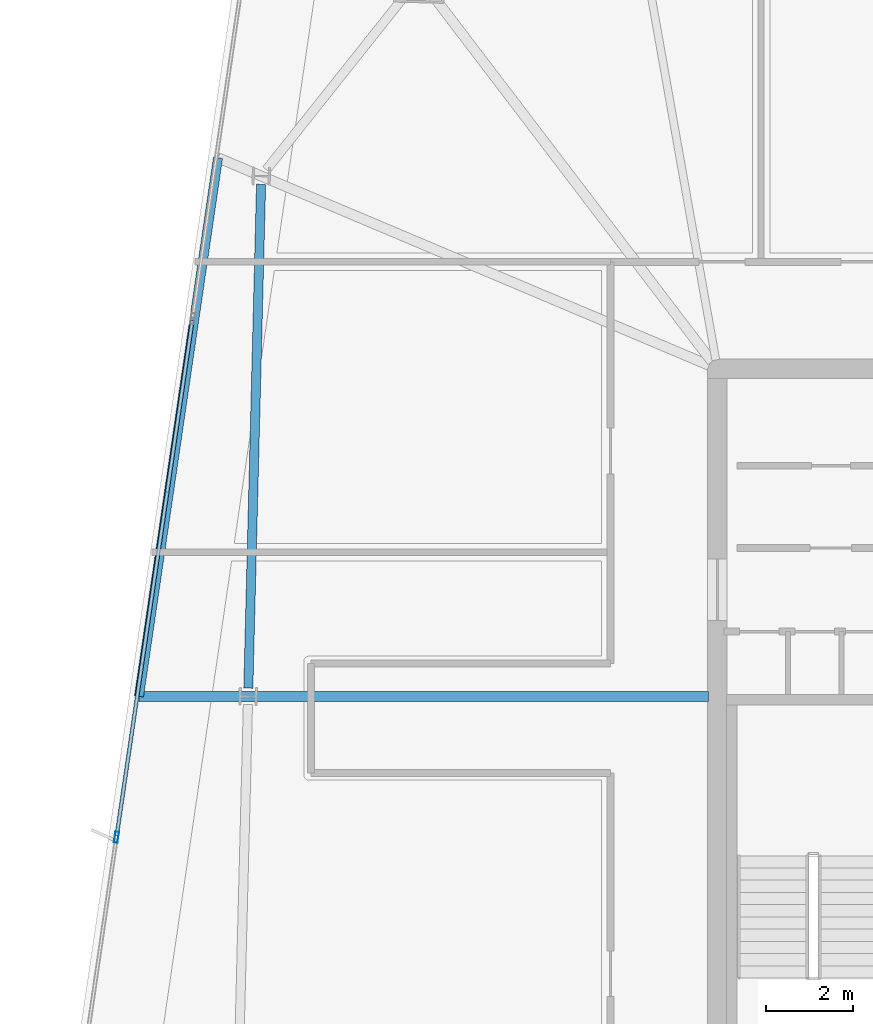
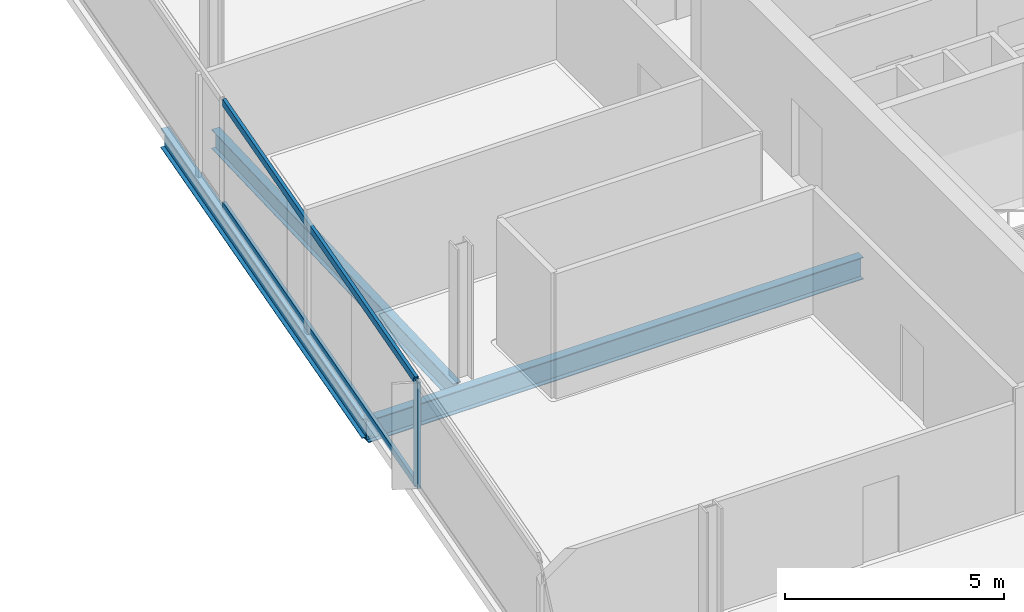
# One storey, part 5 of 22: 3 beams, 3 members, 1 element without a shape of its own.
"""IFC4 building model written with IfcOpenShell, lengths in metres."""

from ifc_helpers import new_model, si_unit, direction, frame, origin, origin_2d, place, context, subcontext, project, spatial, hollow_rectangle, i_section, extrude, material, material_profile, profile_set, type_object, element, aggregate, save


model = new_model("IFC4")

# Units and contexts
model_context = context("Model", 3, precision=1e-05, world=origin(), true_north=direction((0.0, 1.0)))
body_context = subcontext(model_context, "Body", "Model", "MODEL_VIEW")
ifc_project = project(units=[si_unit("LENGTHUNIT", "METRE"), si_unit("AREAUNIT", "SQUARE_METRE"), si_unit("VOLUMEUNIT", "CUBIC_METRE"), si_unit("PLANEANGLEUNIT", "RADIAN"), si_unit("MASSUNIT", "GRAM", prefix="KILO")], contexts=[model_context])

# Site, building, storey
site_placement = place(None, origin())
site = spatial("IfcSite", under=ifc_project, at=site_placement, CompositionType="ELEMENT")
building_placement = place(site_placement, origin())
building = spatial("IfcBuilding", under=site, at=building_placement, Name="Haldenkirk Collegiate Tower", CompositionType="ELEMENT")
storey_placement = place(building_placement, frame((0.0, 0.0, 302.699951171875)))
storey = spatial("IfcBuildingStorey", under=building, at=storey_placement, Name="L76", CompositionType="ELEMENT", Elevation=302.699951171875)

# Beams
ifc_material_1 = material(Name="Steel ASTM A992 Grade 50", Category="steel")
ifc_material_profile_1 = material_profile(ifc_material_1, i_section(OverallWidth=0.22998046875, OverallDepth=0.616943359375, WebThickness=0.01318359375, FlangeThickness=0.022216796875, at=origin_2d()), Name="W24X94")
ifc_profile_set_1 = profile_set([ifc_material_profile_1], Name="Steel ASTM A992 Grade 50")
beam_type_1 = type_object("IfcBeamType", Name="BM-GIRDER-W24X94", PredefinedType="BEAM", material=ifc_profile_set_1)
beam_1_placement = place(storey_placement, frame((13.7568359375, 26.499755859375, -0.568359375), z_axis=(1.0, 0.0, 0.0), x_axis=(0.0, 1.0, 0.0)))
element("IfcBeam", 1, at=beam_1_placement, inside=storey, type_object=beam_type_1, Name="L76 primary floor girder 12", PredefinedType="BEAM", context=body_context, shape_type="SweptSolid", body=[
    extrude(i_section(OverallWidth=0.22998046875, OverallDepth=0.616943359375, WebThickness=0.01318359375, FlangeThickness=0.022216796875, at=origin_2d()), origin(), (0.0, 0.0, 1.0), 13.0380859375),
])
ifc_material_profile_2 = material_profile(ifc_material_1, i_section(OverallWidth=0.2099609375, OverallDepth=0.537109375, WebThickness=0.010986328125, FlangeThickness=0.017333984375, at=origin_2d()), Name="W21X68")
ifc_profile_set_2 = profile_set([ifc_material_profile_2], Name="Steel ASTM A992 Grade 50")
beam_type_2 = type_object("IfcBeamType", Name="BM-SPANDREL-W21X68", PredefinedType="SPANDREL", material=ifc_profile_set_2)
beam_2_placement = place(storey_placement, frame((16.552978515625, 38.22412109375, -0.528564453125), z_axis=(-0.025302458902, -0.999679841536, 0.0), x_axis=(0.999679841536, -0.025302458902, 0.0)))
element("IfcBeam", 2, at=beam_2_placement, inside=storey, type_object=beam_type_2, Name="L76 perimeter spandrel beam 10", PredefinedType="SPANDREL", context=body_context, shape_type="SweptSolid", body=[
    extrude(i_section(OverallWidth=0.2099609375, OverallDepth=0.537109375, WebThickness=0.010986328125, FlangeThickness=0.017333984375, at=origin_2d()), origin(), (0.0, 0.0, 1.0), 11.5400390625),
])
beam_3_placement = place(storey_placement, frame((15.566650390625, 38.830810546875, -0.528564453125), z_axis=(-0.145213137322, -0.989400396578, 0.0), x_axis=(0.989400396578, -0.145213137322, 0.0)))
element("IfcBeam", 3, at=beam_3_placement, inside=storey, type_object=beam_type_2, Name="L76 outer facade edge beam 3", PredefinedType="SPANDREL", context=body_context, shape_type="SweptSolid", body=[
    extrude(i_section(OverallWidth=0.2099609375, OverallDepth=0.537109375, WebThickness=0.010986328125, FlangeThickness=0.017333984375, at=origin_2d()), origin(), (0.0, 0.0, 1.0), 12.463134765625),
])

# Curtain wall, members
ifc_material_2 = material(Name="Anodised architectural bronze aluminium", Category="aluminium")
curtain_wall_type = type_object("IfcCurtainWallType", Name="CW-SYS1B-CONVEX-HI", PredefinedType="USERDEFINED", material=ifc_material_2)
curtain_wall_placement = place(storey_placement, origin())
curtain_wall = element("IfcCurtainWall", 4, at=curtain_wall_placement, inside=storey, type_object=curtain_wall_type, Name="L76 Upper tower high-wind convex bronze unitised curtain wall", ObjectType="UNITISED CURTAIN WALL", PredefinedType="USERDEFINED")
ifc_material_profile_3 = material_profile(ifc_material_2, hollow_rectangle(XDim=0.0849609375, YDim=0.25, WallThickness=0.0048828125, at=origin_2d()), Name="CW-MUL-1B")
ifc_profile_set_3 = profile_set([ifc_material_profile_3], Name="Anodised architectural bronze aluminium")
member_type_1 = type_object("IfcMemberType", Name="CW-MUL-1B", PredefinedType="MULLION", material=ifc_profile_set_3)
member_1_placement = place(storey_placement, frame((13.2431640625, 23.27587890625, 0.0), z_axis=(0.0, 0.0, 1.0), x_axis=(-0.989399423446, 0.145219767539, 0.0)))
member_1 = element("IfcMember", 5, at=member_1_placement, type_object=member_type_1, Name="CW-1B mullion 2", PredefinedType="MULLION", context=body_context, shape_type="SweptSolid", body=[
    extrude(hollow_rectangle(XDim=0.0849609375, YDim=0.25, WallThickness=0.0048828125, at=origin_2d()), origin(), (0.0, 0.0, 1.0), 2.947998046875),
])
ifc_material_profile_4 = material_profile(ifc_material_2, hollow_rectangle(XDim=0.0849609375, YDim=0.199951171875, WallThickness=0.0048828125, at=origin_2d()), Name="CW-TRN-1B")
ifc_profile_set_4 = profile_set([ifc_material_profile_4], Name="Anodised architectural bronze aluminium")
member_type_2 = type_object("IfcMemberType", Name="CW-TRN-1B", PredefinedType="USERDEFINED", material=ifc_profile_set_4)
member_2_placement = place(storey_placement, frame((13.249267578125, 23.31787109375, 0.04248046875), z_axis=(0.145212607161, 0.989400474389, 0.0), x_axis=(-0.989400474389, 0.145212607161, 0.0)))
member_2 = element("IfcMember", 6, at=member_2_placement, type_object=member_type_2, Name="CW-1B transom 2.1", ObjectType="TRANSOM", PredefinedType="USERDEFINED", context=body_context, shape_type="SweptSolid", body=[
    extrude(hollow_rectangle(XDim=0.0849609375, YDim=0.199951171875, WallThickness=0.0048828125, at=origin_2d()), origin(), (0.0, 0.0, 1.0), 11.9150390625),
])
member_3_placement = place(storey_placement, frame((13.249267578125, 23.31787109375, 2.905517578125), z_axis=(0.145212607161, 0.989400474389, 0.0), x_axis=(-0.989400474389, 0.145212607161, 0.0)))
member_3 = element("IfcMember", 7, at=member_3_placement, type_object=member_type_2, Name="CW-1B transom 2.2", ObjectType="TRANSOM", PredefinedType="USERDEFINED", context=body_context, shape_type="SweptSolid", body=[
    extrude(hollow_rectangle(XDim=0.0849609375, YDim=0.199951171875, WallThickness=0.0048828125, at=origin_2d()), origin(), (0.0, 0.0, 1.0), 11.9150390625),
])
aggregate(curtain_wall, [member_1, member_2, member_3])

save(model, "model.ifc")
